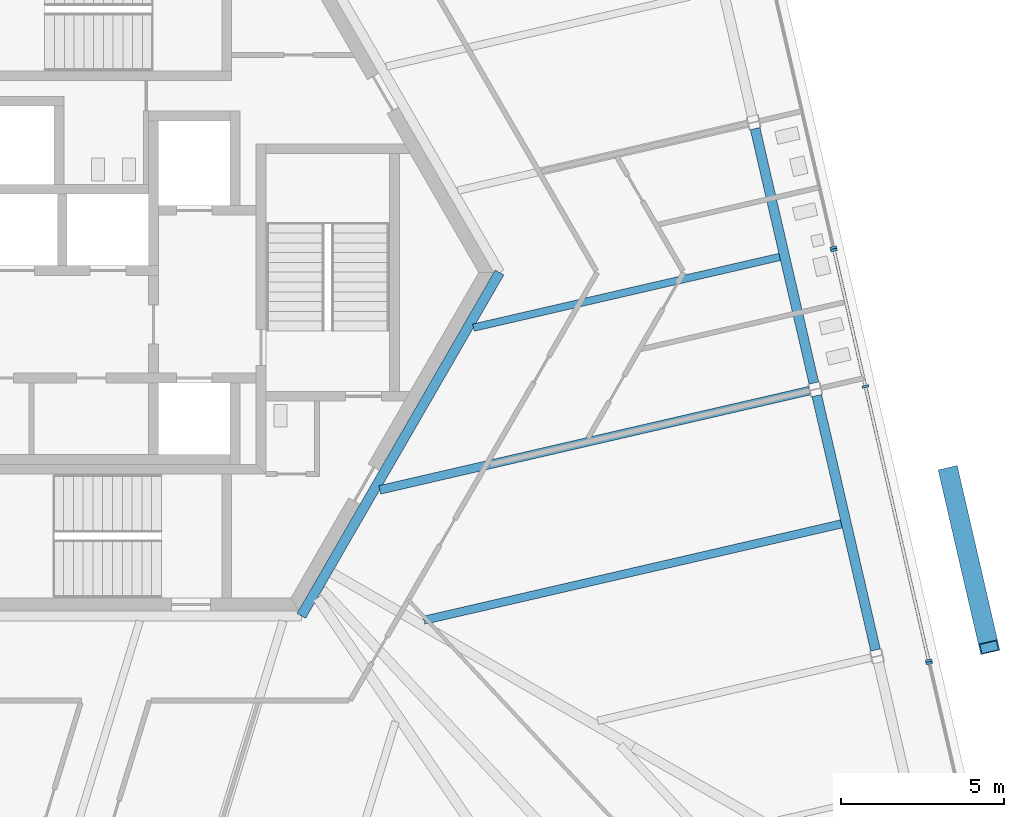
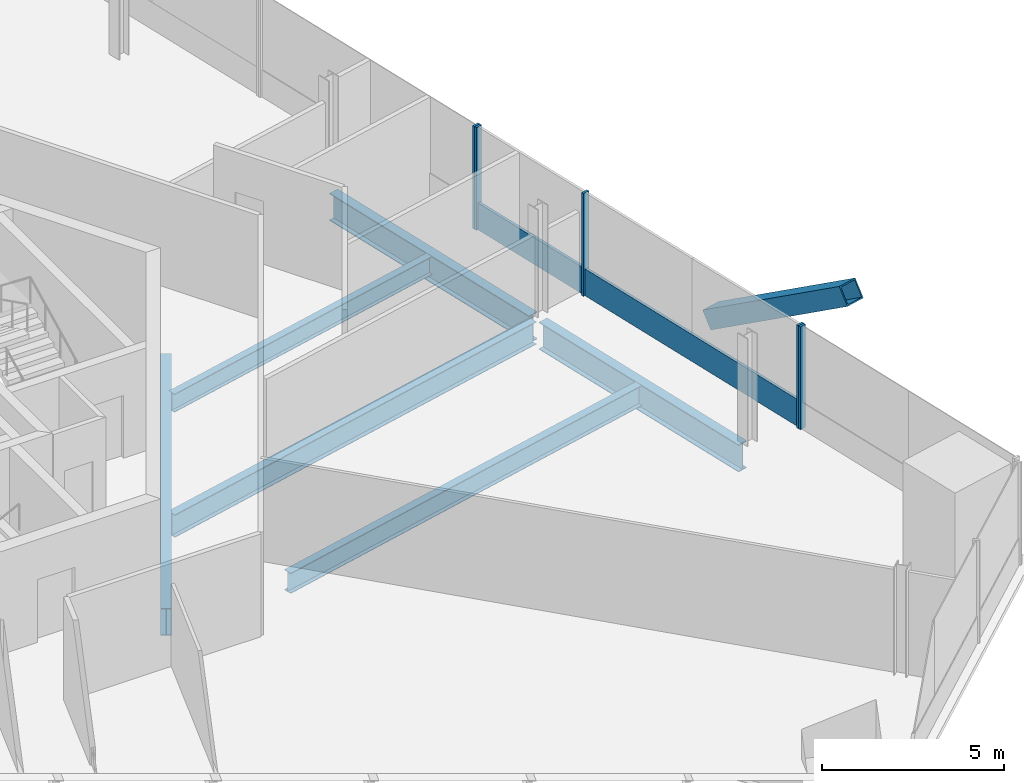
# One storey, part 6 of 17: 8 members, 6 beams, 3 elements without a shape of their own.
"""IFC4 building model written with IfcOpenShell, lengths in metres."""

import ifcopenshell
import ifcopenshell.guid

model = None  # the IFC model being written
_history = None  # IfcOwnerHistory: only IFC2X3 demands one
_inside = {}  # id of a spatial element -> (the spatial element, [elements in it])
_under = {}  # id of a project, library or spatial element -> (it, [spatial elements below it])
_declared = {}  # id of a project -> (the project, [libraries it declares])
_typed = {}  # id of a type object -> (the type object, [elements of that type])
_made_of = {}  # id of a material, layer set ... -> (it, [elements and type objects made of it])


def new_model(schema):
    """Start an empty IFC model of exactly this schema.

    Asked for "IFC4X3", IfcOpenShell would pick the latest addendum, in which some entities
    have other attributes; the version numbers below select the first issue.
    IFC2X3 requires an IfcOwnerHistory on every rooted entity: one is made here for all.
    """
    global model, _history
    if schema == "IFC4X3":
        model = ifcopenshell.file(schema_version=(4, 3, 0, 0))
    else:
        model = ifcopenshell.file(schema=schema)
    _inside.clear()
    _under.clear()
    _declared.clear()
    _typed.clear()
    _made_of.clear()
    _history = None
    if model.schema == "IFC2X3":
        org = make("IfcOrganization", Name="unknown")
        user = make(
            "IfcPersonAndOrganization",
            ThePerson=make("IfcPerson", FamilyName="unknown"),
            TheOrganization=org,
        )
        app = make(
            "IfcApplication",
            ApplicationDeveloper=org,
            Version="unknown",
            ApplicationFullName="unknown",
            ApplicationIdentifier="unknown",
        )
        _history = make(
            "IfcOwnerHistory",
            OwningUser=user,
            OwningApplication=app,
            ChangeAction="ADDED",
            CreationDate=0,
        )
    return model


def make(cls, **values):
    """One entity of the class cls with the attributes given. An attribute that is None is left unset."""
    return model.create_entity(
        cls, **{name: value for name, value in values.items() if value is not None}
    )


def rooted(cls, **values):
    """An entity with a GlobalId (a new one), such as an element, a storey or a relation."""
    return make(cls, GlobalId=ifcopenshell.guid.new(), OwnerHistory=_history, **values)


def si_unit(unit_type, name, prefix=None):
    """IfcSIUnit, for example si_unit("LENGTHUNIT", "METRE", prefix="MILLI")."""
    return make("IfcSIUnit", UnitType=unit_type, Prefix=prefix, Name=name)


def assignment(units):
    """IfcUnitAssignment: the units of a project."""
    return None if units is None else make("IfcUnitAssignment", Units=units)


def point(xyz):
    """IfcCartesianPoint."""
    return None if xyz is None else make("IfcCartesianPoint", Coordinates=xyz)


def direction(xyz):
    """IfcDirection."""
    return None if xyz is None else make("IfcDirection", DirectionRatios=xyz)


def frame(location, z_axis=None, x_axis=None):
    """IfcAxis2Placement3D, a coordinate frame: its origin and axes. An axis left out is left unset."""
    return make(
        "IfcAxis2Placement3D",
        Location=point(location),
        Axis=direction(z_axis),
        RefDirection=direction(x_axis),
    )


def frame_2d(location, x_axis=None):
    """IfcAxis2Placement2D, a coordinate frame in the plane: its origin and x axis."""
    return make(
        "IfcAxis2Placement2D", Location=point(location), RefDirection=direction(x_axis)
    )


def origin():
    """The frame at (0, 0, 0) with its axes left unset."""
    return frame((0.0, 0.0, 0.0))


def origin_2d():
    """The frame at (0, 0) in the plane with its x axis left unset."""
    return frame_2d((0.0, 0.0))


def place(relative_to, where):
    """IfcLocalPlacement: puts the frame where relative to a parent placement (None: the world)."""
    return make(
        "IfcLocalPlacement", PlacementRelTo=relative_to, RelativePlacement=where
    )


def context(
    kind, dimensions, precision=None, world=None, true_north=None, identifier=None
):
    """IfcGeometricRepresentationContext, for example the 3D "Model" context."""
    return make(
        "IfcGeometricRepresentationContext",
        ContextIdentifier=identifier,
        ContextType=kind,
        CoordinateSpaceDimension=dimensions,
        Precision=precision,
        WorldCoordinateSystem=world,
        TrueNorth=true_north,
    )


def subcontext(parent, identifier, kind, view, scale=None):
    """IfcGeometricRepresentationSubContext, for example "Body" below "Model"."""
    return make(
        "IfcGeometricRepresentationSubContext",
        ContextIdentifier=identifier,
        ContextType=kind,
        ParentContext=parent,
        TargetScale=scale,
        TargetView=view,
    )


def project(units=None, contexts=None):
    """IfcProject with its units and contexts."""
    return rooted(
        "IfcProject",
        Name="project",
        RepresentationContexts=contexts,
        UnitsInContext=assignment(units),
    )


def spatial(cls, under=None, at=None, **own):
    """A site, building, storey or space (cls), placed at a placement, below another one or the project."""
    s = rooted(cls, ObjectPlacement=at, **own)
    if under is not None:
        _under.setdefault(under.id(), (under, []))[1].append(s)
    return s


def profile(cls, at=None, kind="AREA", **sizes):
    """A parametric profile (cls). Its sizes go by their IFC names, for example OverallWidth=200.0."""
    return make(cls, ProfileType=kind, Position=at, **sizes)


def rectangle(**sizes):
    """IfcRectangleProfileDef."""
    return profile("IfcRectangleProfileDef", **sizes)


def hollow_rectangle(**sizes):
    """IfcRectangleHollowProfileDef."""
    return profile("IfcRectangleHollowProfileDef", **sizes)


def i_section(**sizes):
    """IfcIShapeProfileDef."""
    return profile("IfcIShapeProfileDef", **sizes)


def extrude(swept, where, along, depth):
    """IfcExtrudedAreaSolid: the profile swept, set in the frame where, extruded along a direction by depth."""
    return make(
        "IfcExtrudedAreaSolid",
        SweptArea=swept,
        Position=where,
        ExtrudedDirection=direction(along),
        Depth=depth,
    )


def shape(context_of_items, identifier, shape_type, items):
    """IfcShapeRepresentation: the items that make up one representation, for example the "Body"."""
    return make(
        "IfcShapeRepresentation",
        ContextOfItems=context_of_items,
        RepresentationIdentifier=identifier,
        RepresentationType=shape_type,
        Items=items,
    )


def source(mapping_origin, context_of_items, identifier, shape_type, items):
    """IfcRepresentationMap: a shape defined once, which mapped items show again and again."""
    return make(
        "IfcRepresentationMap",
        MappingOrigin=mapping_origin,
        MappedRepresentation=shape(context_of_items, identifier, shape_type, items),
    )


def transform(
    local_origin,
    x_axis=None,
    y_axis=None,
    z_axis=None,
    scale=None,
    scale2=None,
    scale3=None,
    uniform=True,
):
    """IfcCartesianTransformationOperator3D, or its non-uniform kind. x_axis, y_axis, z_axis: its Axis1, 2, 3."""
    if uniform:
        return make(
            "IfcCartesianTransformationOperator3D",
            Axis1=direction(x_axis),
            Axis2=direction(y_axis),
            LocalOrigin=point(local_origin),
            Scale=scale,
            Axis3=direction(z_axis),
        )
    return make(
        "IfcCartesianTransformationOperator3DnonUniform",
        Axis1=direction(x_axis),
        Axis2=direction(y_axis),
        LocalOrigin=point(local_origin),
        Scale=scale,
        Axis3=direction(z_axis),
        Scale2=scale2,
        Scale3=scale3,
    )


def mapped(mapping_source, mapping_target):
    """IfcMappedItem: shows the shape of a source again, moved by a transform."""
    return make(
        "IfcMappedItem", MappingSource=mapping_source, MappingTarget=mapping_target
    )


def material(Name=None, Category=None):
    """IfcMaterial."""
    return make("IfcMaterial", Name=Name, Category=Category)


def material_profile(
    of_material, cross_section, Name=None, Category=None, Priority=None
):
    """IfcMaterialProfile: a cross section and its material."""
    return make(
        "IfcMaterialProfile",
        Name=Name,
        Material=of_material,
        Profile=cross_section,
        Priority=Priority,
        Category=Category,
    )


def profile_set(profiles, Name=None, composite=None):
    """IfcMaterialProfileSet."""
    return make(
        "IfcMaterialProfileSet",
        Name=Name,
        MaterialProfiles=profiles,
        CompositeProfile=composite,
    )


def made_of(thing, what):
    """Note that an element or type object is made of a material, layer set ...; save() writes the relation."""
    if what is not None:
        _made_of.setdefault(what.id(), (what, []))[1].append(thing)
    return thing


def type_object(cls, material=None, **own):
    """A type object (cls), such as IfcWallType, which elements share."""
    return made_of(rooted(cls, **own), material)


def element(
    cls,
    number,
    at=None,
    inside=None,
    cuts=None,
    type_object=None,
    material=None,
    context=None,
    identifier="Body",
    shape_type=None,
    held_by="IfcProductDefinitionShape",
    body=None,
    shapes=None,
    **own,
):
    """One element of the class cls, such as IfcWall. Its Tag is "e" and its number.

    at: its placement. inside: the storey or other place that contains it. cuts: it is an
    opening in that element (IfcRelVoidsElement). A single representation is given by context,
    identifier, shape_type and body (its items); several are given by shapes. held_by: the class
    of the entity that holds the representations. save() writes the other relations.
    """
    e = rooted(cls, Tag="e%d" % number, ObjectPlacement=at, **own)
    if body is not None:
        shapes = [shape(context, identifier, shape_type, body)]
    if shapes is not None:
        e.Representation = make(held_by, Representations=shapes)
    if inside is not None:
        _inside.setdefault(inside.id(), (inside, []))[1].append(e)
    if cuts is not None:
        rooted(
            "IfcRelVoidsElement", RelatingBuildingElement=cuts, RelatedOpeningElement=e
        )
    if type_object is not None:
        _typed.setdefault(type_object.id(), (type_object, []))[1].append(e)
    return made_of(e, material)


def aggregate(whole, parts):
    """IfcRelAggregates: a whole, such as a stair, and the parts it consists of."""
    return rooted("IfcRelAggregates", RelatingObject=whole, RelatedObjects=parts)


def save(model, path):
    """Write the relations noted so far, then the file.

    IfcRelAggregates (storeys below a building ...), IfcRelContainedInSpatialStructure (elements
    in a storey), IfcRelDefinesByType, IfcRelAssociatesMaterial and IfcRelDeclares: one each for
    every whole, place, type object, material and project.
    """
    for whole, parts in _under.values():
        aggregate(whole, parts)
    for where, things in _inside.values():
        rooted(
            "IfcRelContainedInSpatialStructure",
            RelatedElements=things,
            RelatingStructure=where,
        )
    for kind, things in _typed.values():
        rooted("IfcRelDefinesByType", RelatedObjects=things, RelatingType=kind)
    for what, things in _made_of.values():
        rooted("IfcRelAssociatesMaterial", RelatedObjects=things, RelatingMaterial=what)
    for by, libraries in _declared.values():
        rooted("IfcRelDeclares", RelatingContext=by, RelatedDefinitions=libraries)
    model.write(path)


model = new_model("IFC4")

# Units and contexts
model_context = context("Model", 3, precision=1e-05, world=origin(), true_north=direction((0.0, 1.0)))
body_context = subcontext(model_context, "Body", "Model", "MODEL_VIEW")
ifc_project = project(units=[si_unit("LENGTHUNIT", "METRE"), si_unit("AREAUNIT", "SQUARE_METRE"), si_unit("VOLUMEUNIT", "CUBIC_METRE"), si_unit("PLANEANGLEUNIT", "RADIAN"), si_unit("MASSUNIT", "GRAM", prefix="KILO")], contexts=[model_context])

# Site, building, storey
site_placement = place(None, origin())
site = spatial("IfcSite", under=ifc_project, at=site_placement, CompositionType="ELEMENT")
building_placement = place(site_placement, origin())
building = spatial("IfcBuilding", under=site, at=building_placement, Name="Triune Harvest Tower", CompositionType="ELEMENT")
storey_placement = place(building_placement, frame((0.0, 0.0, 123.5)))
storey = spatial("IfcBuildingStorey", under=building, at=storey_placement, Name="L31", CompositionType="ELEMENT", Elevation=123.5)

# Curtain wall, member
ifc_material_1 = material(Name="Aluminium bronze anodised", Category="aluminium")
curtain_wall_type_1 = type_object("IfcCurtainWallType", Name="CW-7 Tower stick curtain wall with insulated spandrel infill", PredefinedType="NOTDEFINED", material=ifc_material_1)
curtain_wall_1_placement = place(storey_placement, origin())
curtain_wall_1 = element("IfcCurtainWall", 1, at=curtain_wall_1_placement, inside=storey, type_object=curtain_wall_type_1, Name="CW-7 B3-F1 L31 run 1001")
ifc_material_2 = material(Name="Aluminium bronze anodised", Category="aluminium")
ifc_material_profile_1 = material_profile(ifc_material_2, rectangle(XDim=0.090087890625, YDim=0.89990234375, at=origin_2d()), Name="TR-1 transom 90 x 900")
ifc_profile_set_1 = profile_set([ifc_material_profile_1], Name="Aluminium bronze anodised")
member_type_1 = type_object("IfcMemberType", Name="TR-1 transom 90 x 900", PredefinedType="USERDEFINED", material=ifc_profile_set_1)
member_1_placement = place(storey_placement, frame((23.403076171875, -3.46337890625, 0.449951171875), z_axis=(-0.224918579733, 0.97437756157, 0.0), x_axis=(-0.97437756157, -0.224918579733, 0.0)))
member_1 = element("IfcMember", 2, at=member_1_placement, type_object=member_type_1, Name="CW-7 transom B3-F1 1001.2", ObjectType="TRANSOM", PredefinedType="USERDEFINED", context=body_context, shape_type="SweptSolid", body=[
    extrude(rectangle(XDim=0.090087890625, YDim=0.89990234375, at=origin_2d()), origin(), (0.0, 0.0, 1.0), 4.2255859375),
])

# Beams
ifc_material_3 = material(Name="Steel ASTM A992 Gr 50", Category="steel")
ifc_material_profile_2 = material_profile(ifc_material_3, i_section(OverallWidth=0.3046875, OverallDepth=0.914306640625, WebThickness=0.0166015625, FlangeThickness=0.02587890625, at=origin_2d()), Name="W36x160")
ifc_profile_set_2 = profile_set([ifc_material_profile_2], Name="Steel ASTM A992 Gr 50")
beam_type_1 = type_object("IfcBeamType", Name="CG-1 Core ring girder W36x160", PredefinedType="BEAM", material=ifc_profile_set_2)
shared_shape_1 = source(origin(), body_context, "Body", "SweptSolid", [
    extrude(i_section(OverallWidth=0.3046875, OverallDepth=0.914306640625, WebThickness=0.0166015625, FlangeThickness=0.02587890625, at=origin_2d()), origin(), (0.0, 0.0, 1.0), 12.176025390625),
])
beam_1_placement = place(storey_placement, frame((6.087890625, -10.544677734375, -0.6171875), z_axis=(0.5000099932, 0.866019634131, 0.0), x_axis=(-0.866019634131, 0.5000099932, 0.0)))
element("IfcBeam", 3, at=beam_1_placement, inside=storey, type_object=beam_type_1, Name="beam/L31/CG6", PredefinedType="BEAM", context=body_context, shape_type="MappedRepresentation", body=[
    mapped(shared_shape_1, transform((0.0, 0.0, 0.0), scale=1.0)),
])
ifc_material_4 = material(Name="Steel ASTM A992 Gr 50", Category="steel")
ifc_material_profile_3 = material_profile(ifc_material_4, i_section(OverallWidth=0.3046875, OverallDepth=0.914306640625, WebThickness=0.0166015625, FlangeThickness=0.02587890625, at=origin_2d()), Name="W36x160")
ifc_profile_set_3 = profile_set([ifc_material_profile_3], Name="Steel ASTM A992 Gr 50")
beam_type_2 = type_object("IfcBeamType", Name="SB-1 Spandrel beam W36x160", PredefinedType="SPANDREL", material=ifc_profile_set_3)
shared_shape_2 = source(origin(), body_context, "Body", "SweptSolid", [
    extrude(i_section(OverallWidth=0.3046875, OverallDepth=0.914306640625, WebThickness=0.0166015625, FlangeThickness=0.02587890625, at=origin_2d()), origin(), (0.0, 0.0, 1.0), 8.018310546875),
])
beam_2_placement = place(storey_placement, frame((23.72119140625, -11.591796875, -0.6171875), z_axis=(-0.224950679005, 0.974370151439, 0.0), x_axis=(-0.974370151439, -0.224950679005, 0.0)))
element("IfcBeam", 4, at=beam_2_placement, inside=storey, type_object=beam_type_2, Name="beam/L31/SB2", PredefinedType="SPANDREL", context=body_context, shape_type="MappedRepresentation", body=[
    mapped(shared_shape_2, transform((0.0, 0.0, 0.0), scale=1.0)),
])
shared_shape_3 = source(origin(), body_context, "Body", "SweptSolid", [
    extrude(i_section(OverallWidth=0.3046875, OverallDepth=0.914306640625, WebThickness=0.0166015625, FlangeThickness=0.02587890625, at=origin_2d()), origin(), (0.0, 0.0, 1.0), 8.0185546875),
])
beam_3_placement = place(storey_placement, frame((21.828369140625, -3.39306640625, -0.6171875), z_axis=(-0.22494400542, 0.974371692131, 0.0), x_axis=(-0.974371692131, -0.22494400542, 0.0)))
element("IfcBeam", 5, at=beam_3_placement, inside=storey, type_object=beam_type_2, Name="beam/L31/SB3", PredefinedType="SPANDREL", context=body_context, shape_type="MappedRepresentation", body=[
    mapped(shared_shape_3, transform((0.0, 0.0, 0.0), scale=1.0)),
])
ifc_material_5 = material(Name="Steel ASTM A992 Gr 50", Category="steel")
ifc_material_profile_4 = material_profile(ifc_material_5, i_section(OverallWidth=0.253662109375, OverallDepth=0.683349609375, WebThickness=0.012451171875, FlangeThickness=0.01904296875, at=origin_2d()), Name="W27x94")
ifc_profile_set_4 = profile_set([ifc_material_profile_4], Name="Steel ASTM A992 Gr 50")
beam_type_3 = type_object("IfcBeamType", Name="JT-4 Floor joist W27x94", PredefinedType="JOIST", material=ifc_profile_set_4)
shared_shape_4 = source(origin(), body_context, "Body", "SweptSolid", [
    extrude(i_section(OverallWidth=0.253662109375, OverallDepth=0.683349609375, WebThickness=0.012451171875, FlangeThickness=0.01904296875, at=origin_2d()), origin(), (0.0, 0.0, 1.0), 13.1572265625),
])
beam_4_placement = place(storey_placement, frame((22.6708984375, -7.7197265625, -0.501708984375), z_axis=(-0.974370551145, -0.224948947678, 0.0), x_axis=(0.224948947678, -0.974370551145, 0.0)))
element("IfcBeam", 6, at=beam_4_placement, inside=storey, type_object=beam_type_3, Name="beam/L31/JT3", PredefinedType="JOIST", context=body_context, shape_type="MappedRepresentation", body=[
    mapped(shared_shape_4, transform((0.0, 0.0, 0.0), scale=1.0)),
])
ifc_material_6 = material(Name="Steel ASTM A992 Gr 50", Category="steel")
ifc_material_profile_5 = material_profile(ifc_material_6, i_section(OverallWidth=0.2666015625, OverallDepth=0.7568359375, WebThickness=0.013916015625, FlangeThickness=0.019287109375, at=origin_2d()), Name="W30x108")
ifc_profile_set_5 = profile_set([ifc_material_profile_5], Name="Steel ASTM A992 Gr 50")
beam_type_4 = type_object("IfcBeamType", Name="JT-5 Floor joist W30x108", PredefinedType="JOIST", material=ifc_profile_set_5)
shared_shape_5 = source(origin(), body_context, "Body", "SweptSolid", [
    extrude(i_section(OverallWidth=0.2666015625, OverallDepth=0.7568359375, WebThickness=0.013916015625, FlangeThickness=0.019287109375, at=origin_2d()), origin(), (0.0, 0.0, 1.0), 13.535400390625),
])
beam_5_placement = place(storey_placement, frame((21.687255859375, -3.62890625, -0.53857421875), z_axis=(-0.974372040253, -0.224942497482, 0.0), x_axis=(0.224942497482, -0.974372040253, 0.0)))
element("IfcBeam", 7, at=beam_5_placement, inside=storey, type_object=beam_type_4, Name="beam/L31/JT4", PredefinedType="JOIST", context=body_context, shape_type="MappedRepresentation", body=[
    mapped(shared_shape_5, transform((0.0, 0.0, 0.0), scale=1.0)),
])
ifc_material_7 = material(Name="Steel ASTM A992 Gr 50", Category="steel")
ifc_material_profile_6 = material_profile(ifc_material_7, i_section(OverallWidth=0.22900390625, OverallDepth=0.612060546875, WebThickness=0.011962890625, FlangeThickness=0.01953125, at=origin_2d()), Name="W24x84")
ifc_profile_set_6 = profile_set([ifc_material_profile_6], Name="Steel ASTM A992 Gr 50")
beam_type_5 = type_object("IfcBeamType", Name="JT-3 Floor joist W24x84", PredefinedType="JOIST", material=ifc_profile_set_6)
shared_shape_6 = source(origin(), body_context, "Body", "SweptSolid", [
    extrude(i_section(OverallWidth=0.22900390625, OverallDepth=0.612060546875, WebThickness=0.011962890625, FlangeThickness=0.01953125, at=origin_2d()), origin(), (0.0, 0.0, 1.0), 9.650146484375),
])
beam_6_placement = place(storey_placement, frame((20.778076171875, 0.47900390625, -0.466064453125), z_axis=(-0.974373710713, -0.224935261514, 0.0), x_axis=(0.224935261514, -0.974373710713, 0.0)))
element("IfcBeam", 8, at=beam_6_placement, inside=storey, type_object=beam_type_5, Name="beam/L31/JT5", PredefinedType="JOIST", context=body_context, shape_type="MappedRepresentation", body=[
    mapped(shared_shape_6, transform((0.0, 0.0, 0.0), scale=1.0)),
])

# Member
ifc_material_8 = material(Name="Steel ASTM A572 Gr 50", Category="steel")
ifc_material_profile_7 = material_profile(ifc_material_8, hollow_rectangle(XDim=0.60009765625, YDim=0.60009765625, WallThickness=0.0400390625, at=origin_2d()), Name="Box 600x600x40")
ifc_profile_set_7 = profile_set([ifc_material_profile_7], Name="Steel ASTM A572 Gr 50")
member_type_2 = type_object("IfcMemberType", Name="BR-2 Brace Box 600x600x40", PredefinedType="BRACE", material=ifc_profile_set_7)
shared_shape_7 = source(origin(), body_context, "Body", "SweptSolid", [
    extrude(hollow_rectangle(XDim=0.60009765625, YDim=0.60009765625, WallThickness=0.0400390625, at=origin_2d()), origin(), (0.0, 0.0, 1.0), 6.56640625),
])
member_2_placement = place(storey_placement, frame((25.974609375, -6.155029296875, 0.0), z_axis=(0.188130999407, -0.814874923715, 0.548256861117), x_axis=(0.974369462042, 0.224953665097, 0.0)))
element("IfcMember", 9, at=member_2_placement, inside=storey, type_object=member_type_2, Name="brace/B3-F1/d2/8", PredefinedType="BRACE", context=body_context, shape_type="MappedRepresentation", body=[
    mapped(shared_shape_7, transform((0.0, 0.0, 0.0), scale=1.0)),
])

# Curtain wall, member
ifc_material_9 = material(Name="Aluminium bronze anodised", Category="aluminium")
curtain_wall_type_2 = type_object("IfcCurtainWallType", Name="CW-1 Tower stick curtain wall", PredefinedType="NOTDEFINED", material=ifc_material_9)
curtain_wall_2_placement = place(storey_placement, origin())
curtain_wall_2 = element("IfcCurtainWall", 10, at=curtain_wall_2_placement, inside=storey, type_object=curtain_wall_type_2, Name="CW-1 B3-F1 L31 run 1")
ifc_material_10 = material(Name="Aluminium bronze anodised", Category="aluminium")
ifc_material_profile_8 = material_profile(ifc_material_10, rectangle(XDim=0.199951171875, YDim=0.074951171875, at=origin_2d()), Name="MU-1 mullion 75 x 200")
ifc_profile_set_8 = profile_set([ifc_material_profile_8], Name="Aluminium bronze anodised")
member_type_3 = type_object("IfcMemberType", Name="MU-1 mullion 75 x 200", PredefinedType="MULLION", material=ifc_profile_set_8)
shared_shape_8 = source(origin(), body_context, "Body", "SweptSolid", [
    extrude(rectangle(XDim=0.199951171875, YDim=0.074951171875, at=origin_2d()), origin(), (0.0, 0.0, 1.0), 3.43994140625),
])
member_3_placement = place(storey_placement, frame((25.371826171875, -11.99072265625, 0.0), z_axis=(0.0, 0.0, 1.0), x_axis=(-0.974369461134, -0.224953669027, 0.0)))
member_3 = element("IfcMember", 11, at=member_3_placement, type_object=member_type_3, Name="CW-1 mullion B3-F1 1.3", PredefinedType="MULLION", context=body_context, shape_type="MappedRepresentation", body=[
    mapped(shared_shape_8, transform((0.0, 0.0, 0.0), scale=1.0)),
])
aggregate(curtain_wall_2, [member_3])

# Member
member_4_placement = place(storey_placement, frame((25.35498046875, -11.917724609375, 0.0), z_axis=(0.0, 0.0, 1.0), x_axis=(-0.97437099045, -0.224947044811, 0.0)))
member_4 = element("IfcMember", 12, at=member_4_placement, type_object=member_type_3, Name="CW-7 mullion B3-F1 1001.1", PredefinedType="MULLION", context=body_context, shape_type="MappedRepresentation", body=[
    mapped(shared_shape_8, transform((0.0, 0.0, 0.0), scale=1.0)),
])

member_5_placement = place(storey_placement, frame((23.41162109375, -3.5, 0.0), z_axis=(0.0, 0.0, 1.0), x_axis=(-0.97437099045, -0.224947044811, 0.0)))
member_5 = element("IfcMember", 13, at=member_5_placement, type_object=member_type_3, Name="CW-7 mullion B3-F1 1001.3", PredefinedType="MULLION", context=body_context, shape_type="MappedRepresentation", body=[
    mapped(shared_shape_8, transform((0.0, 0.0, 0.0), scale=1.0)),
])

member_6_placement = place(storey_placement, frame((22.444091796875, 0.690673828125, 0.0), z_axis=(0.0, 0.0, 1.0), x_axis=(-0.97437099045, -0.224947044811, 0.0)))
member_6 = element("IfcMember", 14, at=member_6_placement, type_object=member_type_3, Name="CW-7 mullion B3-F1 1001.4", PredefinedType="MULLION", context=body_context, shape_type="MappedRepresentation", body=[
    mapped(shared_shape_8, transform((0.0, 0.0, 0.0), scale=1.0)),
])

# Curtain wall, member
curtain_wall_3_placement = place(storey_placement, origin())
curtain_wall_3 = element("IfcCurtainWall", 15, at=curtain_wall_3_placement, inside=storey, type_object=curtain_wall_type_2, Name="CW-1 B3-F1 L31 run 2001")
member_7_placement = place(storey_placement, frame((22.42724609375, 0.763671875, 0.0), z_axis=(0.0, 0.0, 1.0), x_axis=(-0.974368269886, -0.224958828767, 0.0)))
member_7 = element("IfcMember", 16, at=member_7_placement, type_object=member_type_3, Name="CW-1 mullion B3-F1 2001.1", PredefinedType="MULLION", context=body_context, shape_type="MappedRepresentation", body=[
    mapped(shared_shape_8, transform((0.0, 0.0, 0.0), scale=1.0)),
])
aggregate(curtain_wall_3, [member_7])

# Member
shared_shape_9 = source(origin(), body_context, "Body", "SweptSolid", [
    extrude(rectangle(XDim=0.090087890625, YDim=0.89990234375, at=origin_2d()), origin(), (0.0, 0.0, 1.0), 8.56396484375),
])
member_8_placement = place(storey_placement, frame((25.346435546875, -11.881103515625, 0.449951171875), z_axis=(-0.224955279106, 0.974369089412, 0.0), x_axis=(-0.974369089412, -0.224955279106, 0.0)))
member_8 = element("IfcMember", 17, at=member_8_placement, type_object=member_type_1, Name="CW-7 transom B3-F1 1001.1", ObjectType="TRANSOM", PredefinedType="USERDEFINED", context=body_context, shape_type="MappedRepresentation", body=[
    mapped(shared_shape_9, transform((0.0, 0.0, 0.0), scale=1.0)),
])

aggregate(curtain_wall_1, [member_4, member_5, member_6, member_8, member_1])

save(model, "model.ifc")
